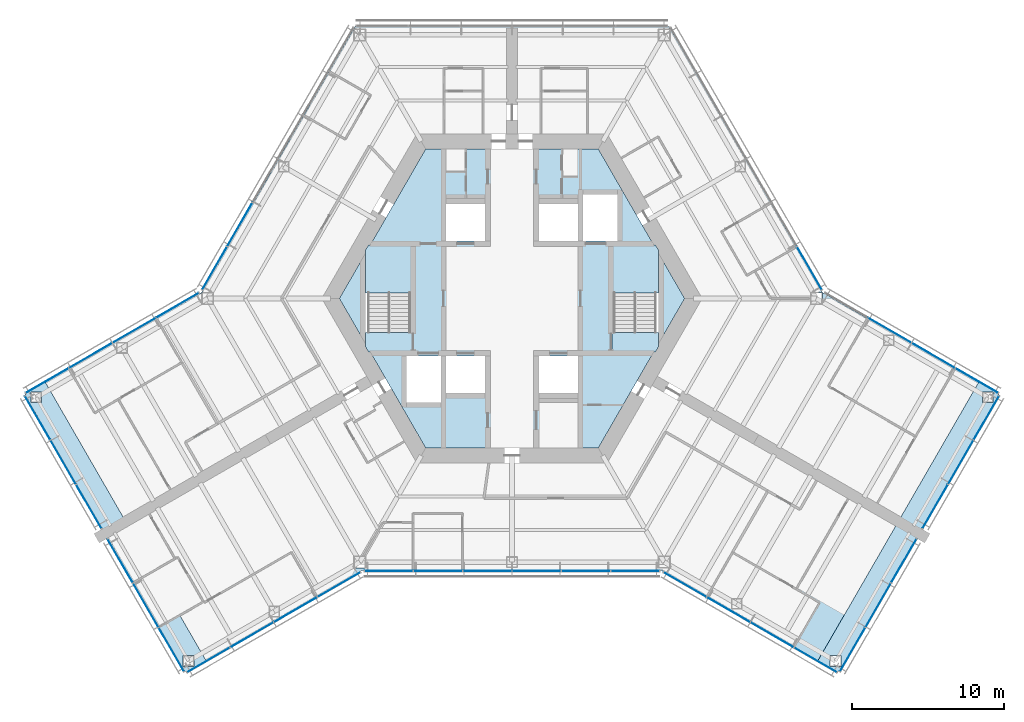
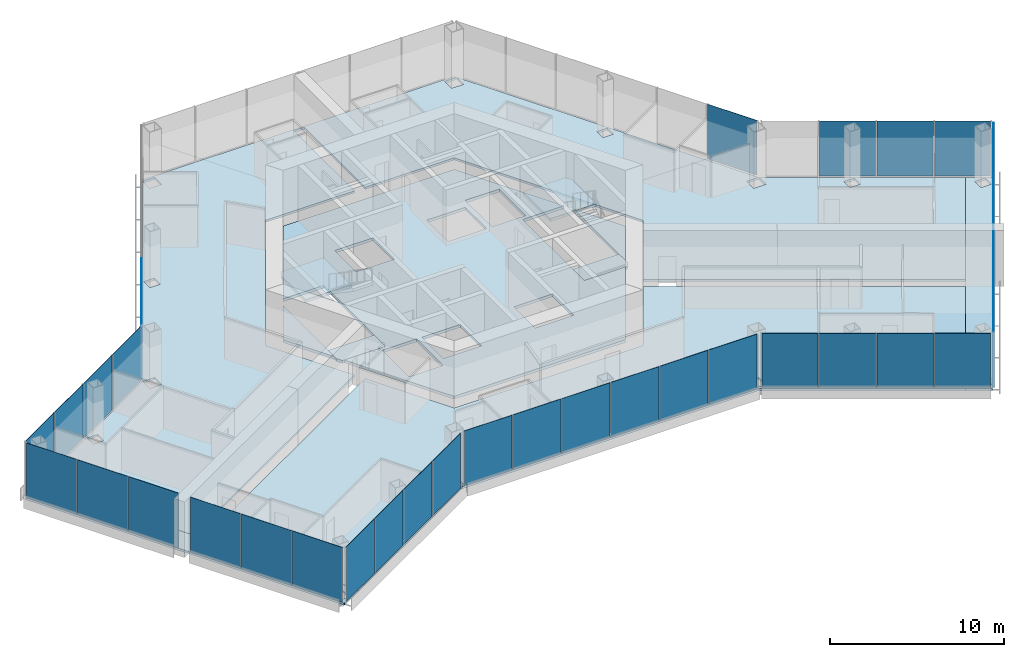
# One storey, part 10 of 18: 36 plates, 11 slabs, 13 elements without a shape of their own.
"""IFC4 building model written with IfcOpenShell, lengths in metres."""

from ifc_helpers import new_model, si_unit, direction, frame, origin, origin_2d, place, context, subcontext, project, spatial, polyline, rectangle, outline, extrude, material, layer, layer_set, type_object, element, aggregate, save


model = new_model("IFC4")

# Units and contexts
model_context = context("Model", 3, precision=1e-05, world=origin(), true_north=direction((0.0, 1.0)))
body_context = subcontext(model_context, "Body", "Model", "MODEL_VIEW")
ifc_project = project(units=[si_unit("LENGTHUNIT", "METRE"), si_unit("AREAUNIT", "SQUARE_METRE"), si_unit("VOLUMEUNIT", "CUBIC_METRE"), si_unit("PLANEANGLEUNIT", "RADIAN"), si_unit("MASSUNIT", "GRAM", prefix="KILO")], contexts=[model_context])

# Site, building, storey
site_placement = place(None, origin())
site = spatial("IfcSite", under=ifc_project, at=site_placement, CompositionType="ELEMENT")
building_placement = place(site_placement, origin())
building = spatial("IfcBuilding", under=site, at=building_placement, Name="Kasaneha Research Tower", CompositionType="ELEMENT")
storey_placement = place(building_placement, frame((0.0, 0.0, 195.5)))
storey = spatial("IfcBuildingStorey", under=building, at=storey_placement, Name="L49", CompositionType="ELEMENT", Elevation=195.5)

# Curtain wall, plates
ifc_material_1 = material(Name="Glass and aluminium", Category="aluminium")
curtain_wall_type = type_object("IfcCurtainWallType", Name="Mid-rise office curtain wall", PredefinedType="USERDEFINED", material=ifc_material_1)
curtain_wall_1_placement = place(storey_placement, origin())
curtain_wall_1 = element("IfcCurtainWall", 1, at=curtain_wall_1_placement, inside=storey, type_object=curtain_wall_type, Name="CW-O2 L49 run 01a", ObjectType="UNITISED CURTAIN WALL", PredefinedType="USERDEFINED")
ifc_material_2 = material(Name="Laminated double glazing", Category="glass")
ifc_layer_1 = layer(ifc_material_2, 0.02587890625)
ifc_layer_set_1 = layer_set([ifc_layer_1], Name="CW-O2 glazed panel")
plate_type = type_object("IfcPlateType", Name="CW-O2 glazed panel", PredefinedType="CURTAIN_PANEL", material=ifc_layer_set_1)
plate_1_placement = place(storey_placement, frame((-8.10107421875, -17.92041015625, 0.06005859375), z_axis=(0.0, 0.0, 1.0), x_axis=(1.0, 0.0, 0.0)))
plate_1 = element("IfcPlate", 2, at=plate_1_placement, type_object=plate_type, Name="CW-O2 panel 1", PredefinedType="CURTAIN_PANEL", context=body_context, shape_type="SweptSolid", body=[
    extrude(rectangle(XDim=3.156494140625, YDim=0.02587890625, at=origin_2d()), origin(), (0.0, 0.0, 1.0), 3.840087890625),
])
plate_2_placement = place(storey_placement, frame((-4.86962890625, -17.92041015625, 0.06005859375), z_axis=(0.0, 0.0, 1.0), x_axis=(1.0, 0.0, 0.0)))
plate_2 = element("IfcPlate", 3, at=plate_2_placement, type_object=plate_type, Name="CW-O2 panel 2", PredefinedType="CURTAIN_PANEL", context=body_context, shape_type="SweptSolid", body=[
    extrude(rectangle(XDim=3.1865234375, YDim=0.02587890625, at=origin_2d()), origin(), (0.0, 0.0, 1.0), 3.840087890625),
])
plate_3_placement = place(storey_placement, frame((-1.623291015625, -17.92041015625, 0.06005859375), z_axis=(0.0, 0.0, 1.0), x_axis=(1.0, 0.0, 0.0)))
plate_3 = element("IfcPlate", 4, at=plate_3_placement, type_object=plate_type, Name="CW-O2 panel 3", PredefinedType="CURTAIN_PANEL", context=body_context, shape_type="SweptSolid", body=[
    extrude(rectangle(XDim=3.1865234375, YDim=0.02587890625, at=origin_2d()), origin(), (0.0, 0.0, 1.0), 3.840087890625),
])
plate_4_placement = place(storey_placement, frame((1.623291015625, -17.92041015625, 0.06005859375), z_axis=(0.0, 0.0, 1.0), x_axis=(1.0, 0.0, 0.0)))
plate_4 = element("IfcPlate", 5, at=plate_4_placement, type_object=plate_type, Name="CW-O2 panel 4", PredefinedType="CURTAIN_PANEL", context=body_context, shape_type="SweptSolid", body=[
    extrude(rectangle(XDim=3.1865234375, YDim=0.02587890625, at=origin_2d()), origin(), (0.0, 0.0, 1.0), 3.840087890625),
])
plate_5_placement = place(storey_placement, frame((4.86962890625, -17.92041015625, 0.06005859375), z_axis=(0.0, 0.0, 1.0), x_axis=(1.0, 0.0, 0.0)))
plate_5 = element("IfcPlate", 6, at=plate_5_placement, type_object=plate_type, Name="CW-O2 panel 5", PredefinedType="CURTAIN_PANEL", context=body_context, shape_type="SweptSolid", body=[
    extrude(rectangle(XDim=3.1865234375, YDim=0.02587890625, at=origin_2d()), origin(), (0.0, 0.0, 1.0), 3.840087890625),
])
plate_6_placement = place(storey_placement, frame((8.10107421875, -17.92041015625, 0.06005859375), z_axis=(0.0, 0.0, 1.0), x_axis=(1.0, 0.0, 0.0)))
plate_6 = element("IfcPlate", 7, at=plate_6_placement, type_object=plate_type, Name="CW-O2 panel 6", PredefinedType="CURTAIN_PANEL", context=body_context, shape_type="SweptSolid", body=[
    extrude(rectangle(XDim=3.156494140625, YDim=0.02587890625, at=origin_2d()), origin(), (0.0, 0.0, 1.0), 3.840087890625),
])
aggregate(curtain_wall_1, [plate_1, plate_2, plate_3, plate_4, plate_5, plate_6])

curtain_wall_2_placement = place(storey_placement, origin())
curtain_wall_2 = element("IfcCurtainWall", 8, at=curtain_wall_2_placement, inside=storey, type_object=curtain_wall_type, Name="CW-O2 L49 run 02a", ObjectType="UNITISED CURTAIN WALL", PredefinedType="USERDEFINED")
plate_7_placement = place(storey_placement, frame((11.3720703125, -18.805419921875, 0.06005859375), z_axis=(0.0, 0.0, 1.0), x_axis=(0.866025411464, -0.499999986699, 0.0)))
plate_7 = element("IfcPlate", 9, at=plate_7_placement, type_object=plate_type, Name="CW-O2 panel 1", PredefinedType="CURTAIN_PANEL", context=body_context, shape_type="SweptSolid", body=[
    extrude(rectangle(XDim=3.2197265625, YDim=0.02587890625, at=origin_2d()), origin(), (0.0, 0.0, 1.0), 3.840087890625),
])
plate_8_placement = place(storey_placement, frame((14.225341796875, -20.452880859375, 0.06005859375), z_axis=(0.0, 0.0, 1.0), x_axis=(0.866025411464, -0.499999986699, 0.0)))
plate_8 = element("IfcPlate", 10, at=plate_8_placement, type_object=plate_type, Name="CW-O2 panel 2", PredefinedType="CURTAIN_PANEL", context=body_context, shape_type="SweptSolid", body=[
    extrude(rectangle(XDim=3.249755859375, YDim=0.02587890625, at=origin_2d()), origin(), (0.0, 0.0, 1.0), 3.840087890625),
])
plate_9_placement = place(storey_placement, frame((17.091796875, -22.107666015625, 0.06005859375), z_axis=(0.0, 0.0, 1.0), x_axis=(0.866025411464, -0.499999986699, 0.0)))
plate_9 = element("IfcPlate", 11, at=plate_9_placement, type_object=plate_type, Name="CW-O2 panel 3", PredefinedType="CURTAIN_PANEL", context=body_context, shape_type="SweptSolid", body=[
    extrude(rectangle(XDim=3.249755859375, YDim=0.02587890625, at=origin_2d()), origin(), (0.0, 0.0, 1.0), 3.840087890625),
])
plate_10_placement = place(storey_placement, frame((19.945068359375, -23.755126953125, 0.06005859375), z_axis=(0.0, 0.0, 1.0), x_axis=(0.866025411464, -0.499999986699, 0.0)))
plate_10 = element("IfcPlate", 12, at=plate_10_placement, type_object=plate_type, Name="CW-O2 panel 4", PredefinedType="CURTAIN_PANEL", context=body_context, shape_type="SweptSolid", body=[
    extrude(rectangle(XDim=3.2197265625, YDim=0.02587890625, at=origin_2d()), origin(), (0.0, 0.0, 1.0), 3.840087890625),
])
aggregate(curtain_wall_2, [plate_7, plate_8, plate_9, plate_10])

curtain_wall_3_placement = place(storey_placement, origin())
curtain_wall_3 = element("IfcCurtainWall", 13, at=curtain_wall_3_placement, inside=storey, type_object=curtain_wall_type, Name="CW-O2 L49 run 03a", ObjectType="UNITISED CURTAIN WALL", PredefinedType="USERDEFINED")
plate_11_placement = place(storey_placement, frame((22.38134765625, -23.075439453125, 0.06005859375), z_axis=(0.0, 0.0, 1.0), x_axis=(0.500000011442, 0.866025397178, 0.0)))
plate_11 = element("IfcPlate", 14, at=plate_11_placement, type_object=plate_type, Name="CW-O2 panel 1", PredefinedType="CURTAIN_PANEL", context=body_context, shape_type="SweptSolid", body=[
    extrude(rectangle(XDim=3.293212890625, YDim=0.02587890625, at=origin_2d()), origin(), (0.0, 0.0, 1.0), 3.840087890625),
])
plate_12_placement = place(storey_placement, frame((24.0654296875, -20.158447265625, 0.06005859375), z_axis=(0.0, 0.0, 1.0), x_axis=(0.500000011442, 0.866025397178, 0.0)))
plate_12 = element("IfcPlate", 15, at=plate_12_placement, type_object=plate_type, Name="CW-O2 panel 2", PredefinedType="CURTAIN_PANEL", context=body_context, shape_type="SweptSolid", body=[
    extrude(rectangle(XDim=3.3232421875, YDim=0.02587890625, at=origin_2d()), origin(), (0.0, 0.0, 1.0), 3.840087890625),
])
plate_13_placement = place(storey_placement, frame((25.74951171875, -17.241455078125, 0.06005859375), z_axis=(0.0, 0.0, 1.0), x_axis=(0.500000011442, 0.866025397178, 0.0)))
plate_13 = element("IfcPlate", 16, at=plate_13_placement, type_object=plate_type, Name="CW-O2 panel 3", PredefinedType="CURTAIN_PANEL", context=body_context, shape_type="SweptSolid", body=[
    extrude(rectangle(XDim=3.293212890625, YDim=0.02587890625, at=origin_2d()), origin(), (0.0, 0.0, 1.0), 3.840087890625),
])
aggregate(curtain_wall_3, [plate_11, plate_12, plate_13])

curtain_wall_4_placement = place(storey_placement, origin())
curtain_wall_4 = element("IfcCurtainWall", 17, at=curtain_wall_4_placement, inside=storey, type_object=curtain_wall_type, Name="CW-O2 L49 run 04a", ObjectType="UNITISED CURTAIN WALL", PredefinedType="USERDEFINED")
plate_14_placement = place(storey_placement, frame((27.806396484375, -13.67919921875, 0.06005859375), z_axis=(0.0, 0.0, 1.0), x_axis=(0.500000011442, 0.866025397178, 0.0)))
plate_14 = element("IfcPlate", 18, at=plate_14_placement, type_object=plate_type, Name="CW-O2 panel 1", PredefinedType="CURTAIN_PANEL", context=body_context, shape_type="SweptSolid", body=[
    extrude(rectangle(XDim=3.293212890625, YDim=0.02587890625, at=origin_2d()), origin(), (0.0, 0.0, 1.0), 3.840087890625),
])
plate_15_placement = place(storey_placement, frame((29.490478515625, -10.761962890625, 0.06005859375), z_axis=(0.0, 0.0, 1.0), x_axis=(0.500000011442, 0.866025397178, 0.0)))
plate_15 = element("IfcPlate", 19, at=plate_15_placement, type_object=plate_type, Name="CW-O2 panel 2", PredefinedType="CURTAIN_PANEL", context=body_context, shape_type="SweptSolid", body=[
    extrude(rectangle(XDim=3.3232421875, YDim=0.02587890625, at=origin_2d()), origin(), (0.0, 0.0, 1.0), 3.840087890625),
])
plate_16_placement = place(storey_placement, frame((31.174560546875, -7.844970703125, 0.06005859375), z_axis=(0.0, 0.0, 1.0), x_axis=(0.500000011442, 0.866025397178, 0.0)))
plate_16 = element("IfcPlate", 20, at=plate_16_placement, type_object=plate_type, Name="CW-O2 panel 3", PredefinedType="CURTAIN_PANEL", context=body_context, shape_type="SweptSolid", body=[
    extrude(rectangle(XDim=3.293212890625, YDim=0.02587890625, at=origin_2d()), origin(), (0.0, 0.0, 1.0), 3.840087890625),
])
aggregate(curtain_wall_4, [plate_14, plate_15, plate_16])

curtain_wall_5_placement = place(storey_placement, origin())
curtain_wall_5 = element("IfcCurtainWall", 21, at=curtain_wall_5_placement, inside=storey, type_object=curtain_wall_type, Name="CW-O2 L49 run 05a", ObjectType="UNITISED CURTAIN WALL", PredefinedType="USERDEFINED")
plate_17_placement = place(storey_placement, frame((30.545166015625, -5.3955078125, 0.06005859375), z_axis=(0.0, 0.0, 1.0), x_axis=(-0.866025411464, 0.499999986699, 0.0)))
plate_17 = element("IfcPlate", 22, at=plate_17_placement, type_object=plate_type, Name="CW-O2 panel 1", PredefinedType="CURTAIN_PANEL", context=body_context, shape_type="SweptSolid", body=[
    extrude(rectangle(XDim=3.2197265625, YDim=0.02587890625, at=origin_2d()), origin(), (0.0, 0.0, 1.0), 3.840087890625),
])
plate_18_placement = place(storey_placement, frame((27.69189453125, -3.748046875, 0.06005859375), z_axis=(0.0, 0.0, 1.0), x_axis=(-0.866025411464, 0.499999986699, 0.0)))
plate_18 = element("IfcPlate", 23, at=plate_18_placement, type_object=plate_type, Name="CW-O2 panel 2", PredefinedType="CURTAIN_PANEL", context=body_context, shape_type="SweptSolid", body=[
    extrude(rectangle(XDim=3.249755859375, YDim=0.02587890625, at=origin_2d()), origin(), (0.0, 0.0, 1.0), 3.840087890625),
])
plate_19_placement = place(storey_placement, frame((24.825439453125, -2.093017578125, 0.06005859375), z_axis=(0.0, 0.0, 1.0), x_axis=(-0.866025411464, 0.499999986699, 0.0)))
plate_19 = element("IfcPlate", 24, at=plate_19_placement, type_object=plate_type, Name="CW-O2 panel 3", PredefinedType="CURTAIN_PANEL", context=body_context, shape_type="SweptSolid", body=[
    extrude(rectangle(XDim=3.249755859375, YDim=0.02587890625, at=origin_2d()), origin(), (0.0, 0.0, 1.0), 3.840087890625),
])
aggregate(curtain_wall_5, [plate_17, plate_18, plate_19])

# Curtain wall, plate
curtain_wall_6_placement = place(storey_placement, origin())
curtain_wall_6 = element("IfcCurtainWall", 25, at=curtain_wall_6_placement, inside=storey, type_object=curtain_wall_type, Name="CW-O2 L49 run 06a", ObjectType="UNITISED CURTAIN WALL", PredefinedType="USERDEFINED")
plate_20_placement = place(storey_placement, frame((19.549072265625, 1.981201171875, 0.06005859375), z_axis=(0.0, 0.0, 1.0), x_axis=(-0.499999979232, 0.866025415775, 0.0)))
plate_20 = element("IfcPlate", 26, at=plate_20_placement, type_object=plate_type, Name="CW-O2 panel 1", PredefinedType="CURTAIN_PANEL", context=body_context, shape_type="SweptSolid", body=[
    extrude(rectangle(XDim=3.240966796875, YDim=0.02587890625, at=origin_2d()), origin(), (0.0, 0.0, 1.0), 3.840087890625),
])
aggregate(curtain_wall_6, [plate_20])

# Curtain wall, plates
curtain_wall_7_placement = place(storey_placement, origin())
curtain_wall_7 = element("IfcCurtainWall", 27, at=curtain_wall_7_placement, inside=storey, type_object=curtain_wall_type, Name="CW-O2 L49 run 08a", ObjectType="UNITISED CURTAIN WALL", PredefinedType="USERDEFINED")
plate_21_placement = place(storey_placement, frame((-17.89111328125, 4.852783203125, 0.06005859375), z_axis=(0.0, 0.0, 1.0), x_axis=(-0.499999979232, -0.866025415775, 0.0)))
plate_21 = element("IfcPlate", 28, at=plate_21_placement, type_object=plate_type, Name="CW-O2 panel 5", PredefinedType="CURTAIN_PANEL", context=body_context, shape_type="SweptSolid", body=[
    extrude(rectangle(XDim=3.27099609375, YDim=0.02587890625, at=origin_2d()), origin(), (0.0, 0.0, 1.0), 3.840087890625),
])
plate_22_placement = place(storey_placement, frame((-19.549072265625, 1.981201171875, 0.06005859375), z_axis=(0.0, 0.0, 1.0), x_axis=(-0.499999979232, -0.866025415775, 0.0)))
plate_22 = element("IfcPlate", 29, at=plate_22_placement, type_object=plate_type, Name="CW-O2 panel 6", PredefinedType="CURTAIN_PANEL", context=body_context, shape_type="SweptSolid", body=[
    extrude(rectangle(XDim=3.240966796875, YDim=0.02587890625, at=origin_2d()), origin(), (0.0, 0.0, 1.0), 3.840087890625),
])
aggregate(curtain_wall_7, [plate_21, plate_22])

curtain_wall_8_placement = place(storey_placement, origin())
curtain_wall_8 = element("IfcCurtainWall", 30, at=curtain_wall_8_placement, inside=storey, type_object=curtain_wall_type, Name="CW-O2 L49 run 09a", ObjectType="UNITISED CURTAIN WALL", PredefinedType="USERDEFINED")
plate_23_placement = place(storey_placement, frame((-21.971923828125, -0.44580078125, 0.06005859375), z_axis=(0.0, 0.0, 1.0), x_axis=(-0.866025411464, -0.499999986699, 0.0)))
plate_23 = element("IfcPlate", 31, at=plate_23_placement, type_object=plate_type, Name="CW-O2 panel 1", PredefinedType="CURTAIN_PANEL", context=body_context, shape_type="SweptSolid", body=[
    extrude(rectangle(XDim=3.2197265625, YDim=0.02587890625, at=origin_2d()), origin(), (0.0, 0.0, 1.0), 3.840087890625),
])
plate_24_placement = place(storey_placement, frame((-24.825439453125, -2.093017578125, 0.06005859375), z_axis=(0.0, 0.0, 1.0), x_axis=(-0.866025411464, -0.499999986699, 0.0)))
plate_24 = element("IfcPlate", 32, at=plate_24_placement, type_object=plate_type, Name="CW-O2 panel 2", PredefinedType="CURTAIN_PANEL", context=body_context, shape_type="SweptSolid", body=[
    extrude(rectangle(XDim=3.249755859375, YDim=0.02587890625, at=origin_2d()), origin(), (0.0, 0.0, 1.0), 3.840087890625),
])
plate_25_placement = place(storey_placement, frame((-27.69189453125, -3.748046875, 0.06005859375), z_axis=(0.0, 0.0, 1.0), x_axis=(-0.866025411464, -0.499999986699, 0.0)))
plate_25 = element("IfcPlate", 33, at=plate_25_placement, type_object=plate_type, Name="CW-O2 panel 3", PredefinedType="CURTAIN_PANEL", context=body_context, shape_type="SweptSolid", body=[
    extrude(rectangle(XDim=3.249755859375, YDim=0.02587890625, at=origin_2d()), origin(), (0.0, 0.0, 1.0), 3.840087890625),
])
plate_26_placement = place(storey_placement, frame((-30.545166015625, -5.3955078125, 0.06005859375), z_axis=(0.0, 0.0, 1.0), x_axis=(-0.866025411464, -0.499999986699, 0.0)))
plate_26 = element("IfcPlate", 34, at=plate_26_placement, type_object=plate_type, Name="CW-O2 panel 4", PredefinedType="CURTAIN_PANEL", context=body_context, shape_type="SweptSolid", body=[
    extrude(rectangle(XDim=3.2197265625, YDim=0.02587890625, at=origin_2d()), origin(), (0.0, 0.0, 1.0), 3.840087890625),
])
aggregate(curtain_wall_8, [plate_23, plate_24, plate_25, plate_26])

curtain_wall_9_placement = place(storey_placement, origin())
curtain_wall_9 = element("IfcCurtainWall", 35, at=curtain_wall_9_placement, inside=storey, type_object=curtain_wall_type, Name="CW-O2 L49 run 10a", ObjectType="UNITISED CURTAIN WALL", PredefinedType="USERDEFINED")
plate_27_placement = place(storey_placement, frame((-31.174560546875, -7.844970703125, 0.06005859375), z_axis=(0.0, 0.0, 1.0), x_axis=(0.500000011442, -0.866025397178, 0.0)))
plate_27 = element("IfcPlate", 36, at=plate_27_placement, type_object=plate_type, Name="CW-O2 panel 1", PredefinedType="CURTAIN_PANEL", context=body_context, shape_type="SweptSolid", body=[
    extrude(rectangle(XDim=3.293212890625, YDim=0.02587890625, at=origin_2d()), origin(), (0.0, 0.0, 1.0), 3.840087890625),
])
plate_28_placement = place(storey_placement, frame((-29.490478515625, -10.761962890625, 0.06005859375), z_axis=(0.0, 0.0, 1.0), x_axis=(0.500000011442, -0.866025397178, 0.0)))
plate_28 = element("IfcPlate", 37, at=plate_28_placement, type_object=plate_type, Name="CW-O2 panel 2", PredefinedType="CURTAIN_PANEL", context=body_context, shape_type="SweptSolid", body=[
    extrude(rectangle(XDim=3.3232421875, YDim=0.02587890625, at=origin_2d()), origin(), (0.0, 0.0, 1.0), 3.840087890625),
])
plate_29_placement = place(storey_placement, frame((-27.806396484375, -13.67919921875, 0.06005859375), z_axis=(0.0, 0.0, 1.0), x_axis=(0.500000011442, -0.866025397178, 0.0)))
plate_29 = element("IfcPlate", 38, at=plate_29_placement, type_object=plate_type, Name="CW-O2 panel 3", PredefinedType="CURTAIN_PANEL", context=body_context, shape_type="SweptSolid", body=[
    extrude(rectangle(XDim=3.293212890625, YDim=0.02587890625, at=origin_2d()), origin(), (0.0, 0.0, 1.0), 3.840087890625),
])
aggregate(curtain_wall_9, [plate_27, plate_28, plate_29])

curtain_wall_10_placement = place(storey_placement, origin())
curtain_wall_10 = element("IfcCurtainWall", 39, at=curtain_wall_10_placement, inside=storey, type_object=curtain_wall_type, Name="CW-O2 L49 run 11a", ObjectType="UNITISED CURTAIN WALL", PredefinedType="USERDEFINED")
plate_30_placement = place(storey_placement, frame((-25.74951171875, -17.241455078125, 0.06005859375), z_axis=(0.0, 0.0, 1.0), x_axis=(0.500000011442, -0.866025397178, 0.0)))
plate_30 = element("IfcPlate", 40, at=plate_30_placement, type_object=plate_type, Name="CW-O2 panel 1", PredefinedType="CURTAIN_PANEL", context=body_context, shape_type="SweptSolid", body=[
    extrude(rectangle(XDim=3.293212890625, YDim=0.02587890625, at=origin_2d()), origin(), (0.0, 0.0, 1.0), 3.840087890625),
])
plate_31_placement = place(storey_placement, frame((-24.0654296875, -20.158447265625, 0.06005859375), z_axis=(0.0, 0.0, 1.0), x_axis=(0.500000011442, -0.866025397178, 0.0)))
plate_31 = element("IfcPlate", 41, at=plate_31_placement, type_object=plate_type, Name="CW-O2 panel 2", PredefinedType="CURTAIN_PANEL", context=body_context, shape_type="SweptSolid", body=[
    extrude(rectangle(XDim=3.3232421875, YDim=0.02587890625, at=origin_2d()), origin(), (0.0, 0.0, 1.0), 3.840087890625),
])
plate_32_placement = place(storey_placement, frame((-22.38134765625, -23.075439453125, 0.06005859375), z_axis=(0.0, 0.0, 1.0), x_axis=(0.500000011442, -0.866025397178, 0.0)))
plate_32 = element("IfcPlate", 42, at=plate_32_placement, type_object=plate_type, Name="CW-O2 panel 3", PredefinedType="CURTAIN_PANEL", context=body_context, shape_type="SweptSolid", body=[
    extrude(rectangle(XDim=3.293212890625, YDim=0.02587890625, at=origin_2d()), origin(), (0.0, 0.0, 1.0), 3.840087890625),
])
aggregate(curtain_wall_10, [plate_30, plate_31, plate_32])

curtain_wall_11_placement = place(storey_placement, origin())
curtain_wall_11 = element("IfcCurtainWall", 43, at=curtain_wall_11_placement, inside=storey, type_object=curtain_wall_type, Name="CW-O2 L49 run 12a", ObjectType="UNITISED CURTAIN WALL", PredefinedType="USERDEFINED")
plate_33_placement = place(storey_placement, frame((-19.945068359375, -23.755126953125, 0.06005859375), z_axis=(0.0, 0.0, 1.0), x_axis=(0.866025411464, 0.499999986699, 0.0)))
plate_33 = element("IfcPlate", 44, at=plate_33_placement, type_object=plate_type, Name="CW-O2 panel 1", PredefinedType="CURTAIN_PANEL", context=body_context, shape_type="SweptSolid", body=[
    extrude(rectangle(XDim=3.2197265625, YDim=0.02587890625, at=origin_2d()), origin(), (0.0, 0.0, 1.0), 3.840087890625),
])
plate_34_placement = place(storey_placement, frame((-17.091796875, -22.107666015625, 0.06005859375), z_axis=(0.0, 0.0, 1.0), x_axis=(0.866025411464, 0.499999986699, 0.0)))
plate_34 = element("IfcPlate", 45, at=plate_34_placement, type_object=plate_type, Name="CW-O2 panel 2", PredefinedType="CURTAIN_PANEL", context=body_context, shape_type="SweptSolid", body=[
    extrude(rectangle(XDim=3.249755859375, YDim=0.02587890625, at=origin_2d()), origin(), (0.0, 0.0, 1.0), 3.840087890625),
])
plate_35_placement = place(storey_placement, frame((-14.225341796875, -20.452880859375, 0.06005859375), z_axis=(0.0, 0.0, 1.0), x_axis=(0.866025411464, 0.499999986699, 0.0)))
plate_35 = element("IfcPlate", 46, at=plate_35_placement, type_object=plate_type, Name="CW-O2 panel 3", PredefinedType="CURTAIN_PANEL", context=body_context, shape_type="SweptSolid", body=[
    extrude(rectangle(XDim=3.249755859375, YDim=0.02587890625, at=origin_2d()), origin(), (0.0, 0.0, 1.0), 3.840087890625),
])
plate_36_placement = place(storey_placement, frame((-11.3720703125, -18.805419921875, 0.06005859375), z_axis=(0.0, 0.0, 1.0), x_axis=(0.866025411464, 0.499999986699, 0.0)))
plate_36 = element("IfcPlate", 47, at=plate_36_placement, type_object=plate_type, Name="CW-O2 panel 4", PredefinedType="CURTAIN_PANEL", context=body_context, shape_type="SweptSolid", body=[
    extrude(rectangle(XDim=3.2197265625, YDim=0.02587890625, at=origin_2d()), origin(), (0.0, 0.0, 1.0), 3.840087890625),
])
aggregate(curtain_wall_11, [plate_33, plate_34, plate_35, plate_36])

# Slabs
ifc_material_3 = material(Name="Concrete Fc24", Category="concrete")
ifc_layer_2 = layer(ifc_material_3, 0.199951171875)
ifc_layer_set_2 = layer_set([ifc_layer_2], Name="Core floor slab 200")
slab_type_1 = type_object("IfcSlabType", Name="Core floor slab 200", PredefinedType="FLOOR", material=ifc_layer_set_2)
slab_1_placement = place(storey_placement, frame((0.0, 0.0, -0.199951171875)))
element("IfcSlab", 48, at=slab_1_placement, inside=storey, type_object=slab_type_1, Name="Core slab L49", PredefinedType="FLOOR", context=body_context, shape_type="SweptSolid", body=[
    extrude(outline(polyline([(-11.344970703125, 0.0), (-9.625, 2.97900390625), (-9.625, -2.97900390625), (-11.344970703125, 0.0)])), origin(), (0.0, 0.0, 1.0), 0.199951171875),
])
slab_2_placement = place(storey_placement, frame((0.0, 0.0, -0.199951171875)))
element("IfcSlab", 49, at=slab_2_placement, inside=storey, type_object=slab_type_1, Name="Core slab L49", PredefinedType="FLOOR", context=body_context, shape_type="SweptSolid", body=[
    extrude(outline(polyline([(-5.67236328125, 9.824951171875), (5.67236328125, 9.824951171875), (9.309814453125, 3.52490234375), (6.574951171875, 3.52490234375), (6.574951171875, -3.52490234375), (9.309814453125, -3.52490234375), (5.67236328125, -9.824951171875), (-5.67236328125, -9.824951171875), (-9.309814453125, -3.52490234375), (-6.574951171875, -3.52490234375), (-6.574951171875, 3.52490234375), (-9.309814453125, 3.52490234375), (-5.67236328125, 9.824951171875)]), holes=[polyline([(-6.925048828125, -3.77490234375), (-6.925048828125, -6.824951171875), (-4.675048828125, -6.824951171875), (-4.675048828125, -3.77490234375), (-6.925048828125, -3.77490234375)]), polyline([(-4.324951171875, -3.77490234375), (-4.324951171875, -6.22509765625), (-1.77490234375, -6.22509765625), (-1.77490234375, -3.77490234375), (-4.324951171875, -3.77490234375)]), polyline([(1.77490234375, -3.77490234375), (1.77490234375, -6.22509765625), (4.324951171875, -6.22509765625), (4.324951171875, -3.77490234375), (1.77490234375, -3.77490234375)]), polyline([(-4.324951171875, 6.22509765625), (-4.324951171875, 3.77490234375), (-1.77490234375, 3.77490234375), (-1.77490234375, 6.22509765625), (-4.324951171875, 6.22509765625)]), polyline([(1.77490234375, 6.22509765625), (1.77490234375, 3.77490234375), (4.324951171875, 3.77490234375), (4.324951171875, 6.22509765625), (1.77490234375, 6.22509765625)]), polyline([(4.675048828125, 6.824951171875), (4.675048828125, 3.77490234375), (6.925048828125, 3.77490234375), (6.925048828125, 6.824951171875), (4.675048828125, 6.824951171875)])]), origin(), (0.0, 0.0, 1.0), 0.199951171875),
])
slab_3_placement = place(storey_placement, frame((0.0, 0.0, -0.199951171875)))
element("IfcSlab", 50, at=slab_3_placement, inside=storey, type_object=slab_type_1, Name="Core slab L49", PredefinedType="FLOOR", context=body_context, shape_type="SweptSolid", body=[
    extrude(outline(polyline([(11.344970703125, 0.0), (9.625, -2.97900390625), (9.625, 2.97900390625), (11.344970703125, 0.0)])), origin(), (0.0, 0.0, 1.0), 0.199951171875),
])
ifc_material_4 = material(Name="Concrete Fc24", Category="concrete")
ifc_layer_3 = layer(ifc_material_4, 0.14990234375)
ifc_layer_set_3 = layer_set([ifc_layer_3], Name="Floor slab 150")
slab_type_2 = type_object("IfcSlabType", Name="Floor slab 150", PredefinedType="FLOOR", material=ifc_layer_set_3)
slab_4_placement = place(storey_placement, frame((0.0, 0.0, -0.14990234375)))
element("IfcSlab", 51, at=slab_4_placement, inside=storey, type_object=slab_type_2, Name="Floor slab L49 1", PredefinedType="FLOOR", context=body_context, shape_type="SweptSolid", body=[
    extrude(outline(polyline([(-32.009521484375, -6.298583984375), (-30.65869140625, -5.518798828125), (-25.55859375, -14.35205078125), (-25.5673828125, -14.357177734375), (-25.21728515625, -14.96337890625), (-25.208740234375, -14.958251953125), (-20.108642578125, -23.791748046875), (-21.459716796875, -24.57177734375), (-32.009521484375, -6.298583984375)]), holes=[polyline([(-20.908447265625, -24.17041015625), (-20.908447265625, -23.470458984375), (-21.6083984375, -23.470458984375), (-21.6083984375, -24.17041015625), (-20.908447265625, -24.17041015625)]), polyline([(-30.908447265625, -6.85009765625), (-30.908447265625, -6.14990234375), (-31.6083984375, -6.14990234375), (-31.6083984375, -6.85009765625), (-30.908447265625, -6.85009765625)])]), origin(), (0.0, 0.0, 1.0), 0.14990234375),
])
slab_5_placement = place(storey_placement, frame((0.0, 0.0, -0.14990234375)))
element("IfcSlab", 52, at=slab_5_placement, inside=storey, type_object=slab_type_2, Name="Floor slab L49 2", PredefinedType="FLOOR", context=body_context, shape_type="SweptSolid", body=[
    extrude(outline(polyline([(9.8525390625, -17.87060546875), (-9.8525390625, -17.87060546875), (-20.108642578125, -23.791748046875), (-25.208740234375, -14.958251953125), (-9.19970703125, -5.715576171875), (-6.249755859375, -10.824951171875), (6.249755859375, -10.824951171875), (9.19970703125, -5.715576171875), (25.208740234375, -14.958251953125), (20.108642578125, -23.791748046875), (9.8525390625, -17.87060546875)]), holes=[polyline([(-15.279052734375, -20.92041015625), (-15.279052734375, -20.220458984375), (-15.979248046875, -20.220458984375), (-15.979248046875, -20.92041015625), (-15.279052734375, -20.92041015625)]), polyline([(0.35009765625, -17.67041015625), (0.35009765625, -16.970458984375), (-0.35009765625, -16.970458984375), (-0.35009765625, -17.67041015625), (0.35009765625, -17.67041015625)]), polyline([(-10.39990234375, -17.720458984375), (-9.60009765625, -17.720458984375), (-9.60009765625, -16.92041015625), (-10.39990234375, -16.92041015625), (-10.39990234375, -17.720458984375)]), polyline([(15.113037109375, -20.42041015625), (15.113037109375, -19.720458984375), (14.4130859375, -19.720458984375), (14.4130859375, -20.42041015625), (15.113037109375, -20.42041015625)]), polyline([(9.60009765625, -17.720458984375), (10.39990234375, -17.720458984375), (10.39990234375, -16.92041015625), (9.60009765625, -16.92041015625), (9.60009765625, -17.720458984375)])]), origin(), (0.0, 0.0, 1.0), 0.14990234375),
])
slab_6_placement = place(storey_placement, frame((0.0, 0.0, -0.14990234375)))
element("IfcSlab", 53, at=slab_6_placement, inside=storey, type_object=slab_type_2, Name="Floor slab L49 3", PredefinedType="FLOOR", context=body_context, shape_type="SweptSolid", body=[
    extrude(outline(polyline([(-20.400146484375, -0.400146484375), (-19.599853515625, -0.400146484375), (-19.599853515625, 0.400146484375), (-20.385986328125, 0.400146484375), (-20.3974609375, 0.41162109375), (-10.40771484375, 17.714111328125), (-10.400146484375, 17.70654296875), (-10.400146484375, 16.92041015625), (-9.599853515625, 16.92041015625), (-9.599853515625, 17.720703125), (-10.385986328125, 17.720703125), (-10.3974609375, 17.732177734375), (-10.317626953125, 17.87060546875), (10.317626953125, 17.87060546875), (10.3974609375, 17.732177734375), (10.385986328125, 17.720703125), (9.599853515625, 17.720703125), (9.599853515625, 16.92041015625), (10.400146484375, 16.92041015625), (10.400146484375, 17.70654296875), (10.40771484375, 17.714111328125), (20.3974609375, 0.41162109375), (20.385986328125, 0.400146484375), (19.599853515625, 0.400146484375), (19.599853515625, -0.400146484375), (20.400146484375, -0.400146484375), (20.400146484375, 0.385986328125), (20.41162109375, 0.3974609375), (30.65869140625, -5.518798828125), (25.55859375, -14.35205078125), (9.5498046875, -5.109375), (12.49951171875, 0.0), (6.249755859375, 10.824951171875), (0.35009765625, 10.824951171875), (0.35009765625, 17.7705078125), (-0.35009765625, 17.7705078125), (-0.35009765625, 10.824951171875), (-6.249755859375, 10.824951171875), (-12.49951171875, 0.0), (-9.5498046875, -5.109375), (-25.55859375, -14.35205078125), (-30.65869140625, -5.518798828125), (-20.41162109375, 0.3974609375), (-20.400146484375, 0.385986328125), (-20.400146484375, -0.400146484375)]), holes=[polyline([(-25.279052734375, -3.60009765625), (-25.279052734375, -2.89990234375), (-25.979248046875, -2.89990234375), (-25.979248046875, -3.60009765625), (-25.279052734375, -3.60009765625)]), polyline([(-15.35009765625, 8.310302734375), (-14.64990234375, 8.310302734375), (-14.64990234375, 9.01025390625), (-15.35009765625, 9.01025390625), (-15.35009765625, 8.310302734375)]), polyline([(24.4130859375, -3.10009765625), (25.113037109375, -3.10009765625), (25.113037109375, -2.39990234375), (24.4130859375, -2.39990234375), (24.4130859375, -3.10009765625)]), polyline([(14.64990234375, 8.310302734375), (15.35009765625, 8.310302734375), (15.35009765625, 9.01025390625), (14.64990234375, 9.01025390625), (14.64990234375, 8.310302734375)])]), origin(), (0.0, 0.0, 1.0), 0.14990234375),
])
slab_7_placement = place(storey_placement, frame((0.0, 0.0, -0.14990234375)))
element("IfcSlab", 54, at=slab_7_placement, inside=storey, type_object=slab_type_2, Name="Floor slab L49 4", PredefinedType="FLOOR", context=body_context, shape_type="SweptSolid", body=[
    extrude(outline(polyline([(32.009521484375, -6.298583984375), (21.459716796875, -24.57177734375), (20.108642578125, -23.791748046875), (25.208740234375, -14.958251953125), (25.21728515625, -14.96337890625), (25.5673828125, -14.357177734375), (25.55859375, -14.35205078125), (30.65869140625, -5.518798828125), (32.009521484375, -6.298583984375)]), holes=[polyline([(21.6083984375, -24.17041015625), (21.6083984375, -23.470458984375), (20.908447265625, -23.470458984375), (20.908447265625, -24.17041015625), (21.6083984375, -24.17041015625)]), polyline([(31.6083984375, -6.85009765625), (31.6083984375, -6.14990234375), (30.908447265625, -6.14990234375), (30.908447265625, -6.85009765625), (31.6083984375, -6.85009765625)])]), origin(), (0.0, 0.0, 1.0), 0.14990234375),
])

# Stair, slabs
ifc_material_5 = material(Name="Concrete Fc24", Category="concrete")
stair_type = type_object("IfcStairType", Name="Half-turn stair 22 risers", PredefinedType="HALF_TURN_STAIR", material=ifc_material_5)
stair_1_placement = place(storey_placement, origin())
stair_1 = element("IfcStair", 55, at=stair_1_placement, inside=storey, type_object=stair_type, Name="Stair 1 L49", PredefinedType="HALF_TURN_STAIR")
ifc_material_6 = material(Name="Concrete Fc24", Category="concrete")
ifc_layer_4 = layer(ifc_material_6, 0.199951171875)
ifc_layer_set_4 = layer_set([ifc_layer_4], Name="Stair 1 landing 200")
slab_type_3 = type_object("IfcSlabType", Name="Stair 1 landing 200", PredefinedType="LANDING", material=ifc_layer_set_4)
slab_8_placement = place(storey_placement, frame((0.0, 0.0, -0.199951171875)))
slab_8 = element("IfcSlab", 56, at=slab_8_placement, type_object=slab_type_3, Name="ST1-22R landing 1", PredefinedType="LANDING", context=body_context, shape_type="SweptSolid", body=[
    extrude(outline(polyline([(9.42529296875, -3.52490234375), (6.574951171875, -3.52490234375), (6.574951171875, -2.22509765625), (9.625, -2.22509765625), (9.625, -3.178955078125), (9.42529296875, -3.52490234375)])), origin(), (0.0, 0.0, 1.0), 0.199951171875),
])
slab_9_placement = place(storey_placement, frame((0.0, 0.0, 1.75)))
slab_9 = element("IfcSlab", 57, at=slab_9_placement, type_object=slab_type_3, Name="ST1-22R landing 2", PredefinedType="LANDING", context=body_context, shape_type="SweptSolid", body=[
    extrude(outline(polyline([(6.574951171875, 3.52490234375), (9.42529296875, 3.52490234375), (9.625, 3.178955078125), (9.625, 0.375), (6.574951171875, 0.375), (6.574951171875, 3.52490234375)])), origin(), (0.0, 0.0, 1.0), 0.199951171875),
])
aggregate(stair_1, [slab_8, slab_9])

stair_2_placement = place(storey_placement, origin())
stair_2 = element("IfcStair", 58, at=stair_2_placement, inside=storey, type_object=stair_type, Name="Stair 2 L49", PredefinedType="HALF_TURN_STAIR")
ifc_material_7 = material(Name="Concrete Fc24", Category="concrete")
ifc_layer_5 = layer(ifc_material_7, 0.199951171875)
ifc_layer_set_5 = layer_set([ifc_layer_5], Name="Stair 2 landing 200")
slab_type_4 = type_object("IfcSlabType", Name="Stair 2 landing 200", PredefinedType="LANDING", material=ifc_layer_set_5)
slab_10_placement = place(storey_placement, frame((0.0, 0.0, -0.199951171875)))
slab_10 = element("IfcSlab", 59, at=slab_10_placement, type_object=slab_type_4, Name="ST2-22R landing 1", PredefinedType="LANDING", context=body_context, shape_type="SweptSolid", body=[
    extrude(outline(polyline([(-6.574951171875, -3.52490234375), (-9.42529296875, -3.52490234375), (-9.625, -3.178955078125), (-9.625, -2.22509765625), (-6.574951171875, -2.22509765625), (-6.574951171875, -3.52490234375)])), origin(), (0.0, 0.0, 1.0), 0.199951171875),
])
slab_11_placement = place(storey_placement, frame((0.0, 0.0, 1.75)))
slab_11 = element("IfcSlab", 60, at=slab_11_placement, type_object=slab_type_4, Name="ST2-22R landing 2", PredefinedType="LANDING", context=body_context, shape_type="SweptSolid", body=[
    extrude(outline(polyline([(-6.574951171875, 0.375), (-9.625, 0.375), (-9.625, 3.178955078125), (-9.42529296875, 3.52490234375), (-6.574951171875, 3.52490234375), (-6.574951171875, 0.375)])), origin(), (0.0, 0.0, 1.0), 0.199951171875),
])
aggregate(stair_2, [slab_10, slab_11])

save(model, "model.ifc")
